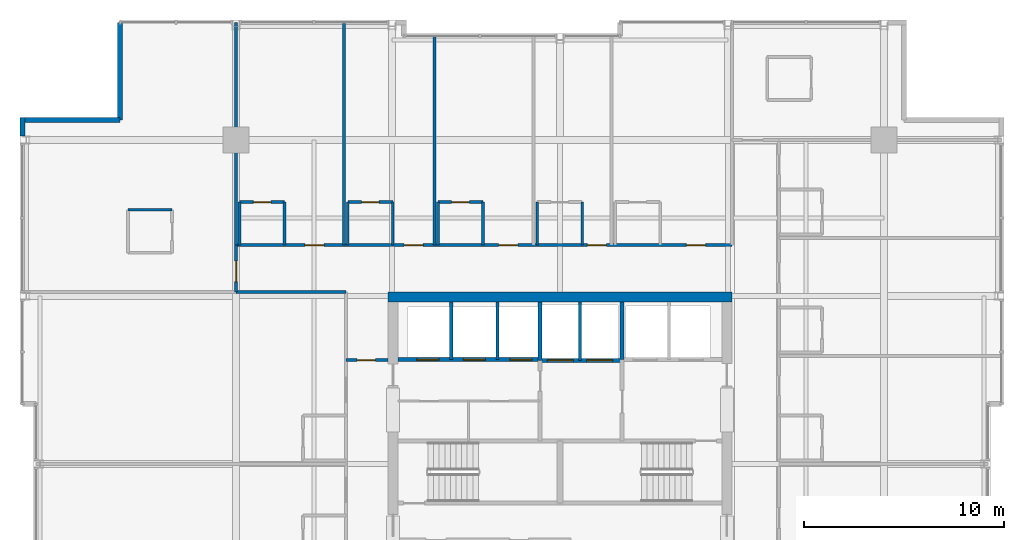
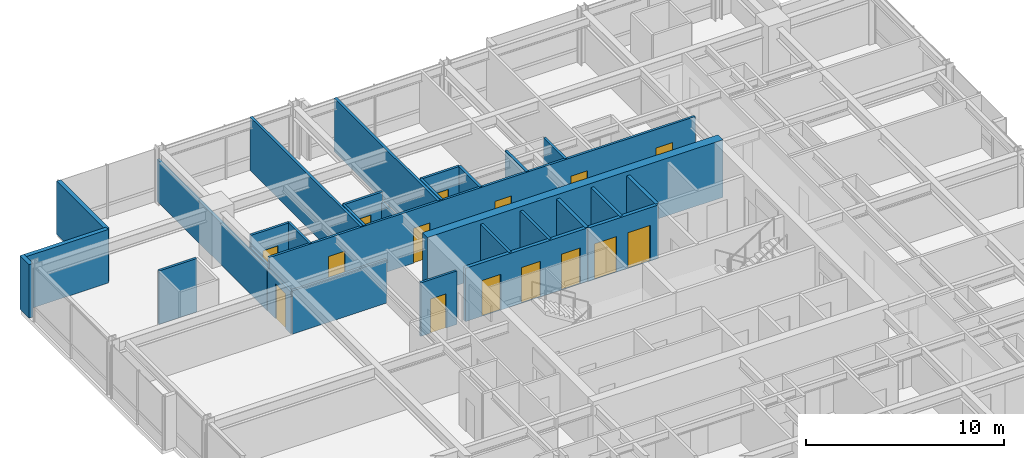
# One storey, part 29 of 32: 30 walls, 15 doors, 15 openings.
"""IFC4 building model written with IfcOpenShell, lengths in metres."""

import ifcopenshell
import ifcopenshell.guid

model = None  # the IFC model being written
_history = None  # IfcOwnerHistory: only IFC2X3 demands one
_inside = {}  # id of a spatial element -> (the spatial element, [elements in it])
_under = {}  # id of a project, library or spatial element -> (it, [spatial elements below it])
_declared = {}  # id of a project -> (the project, [libraries it declares])
_typed = {}  # id of a type object -> (the type object, [elements of that type])
_made_of = {}  # id of a material, layer set ... -> (it, [elements and type objects made of it])


def new_model(schema):
    """Start an empty IFC model of exactly this schema.

    Asked for "IFC4X3", IfcOpenShell would pick the latest addendum, in which some entities
    have other attributes; the version numbers below select the first issue.
    IFC2X3 requires an IfcOwnerHistory on every rooted entity: one is made here for all.
    """
    global model, _history
    if schema == "IFC4X3":
        model = ifcopenshell.file(schema_version=(4, 3, 0, 0))
    else:
        model = ifcopenshell.file(schema=schema)
    _inside.clear()
    _under.clear()
    _declared.clear()
    _typed.clear()
    _made_of.clear()
    _history = None
    if model.schema == "IFC2X3":
        org = make("IfcOrganization", Name="unknown")
        user = make(
            "IfcPersonAndOrganization",
            ThePerson=make("IfcPerson", FamilyName="unknown"),
            TheOrganization=org,
        )
        app = make(
            "IfcApplication",
            ApplicationDeveloper=org,
            Version="unknown",
            ApplicationFullName="unknown",
            ApplicationIdentifier="unknown",
        )
        _history = make(
            "IfcOwnerHistory",
            OwningUser=user,
            OwningApplication=app,
            ChangeAction="ADDED",
            CreationDate=0,
        )
    return model


def make(cls, **values):
    """One entity of the class cls with the attributes given. An attribute that is None is left unset."""
    return model.create_entity(
        cls, **{name: value for name, value in values.items() if value is not None}
    )


def rooted(cls, **values):
    """An entity with a GlobalId (a new one), such as an element, a storey or a relation."""
    return make(cls, GlobalId=ifcopenshell.guid.new(), OwnerHistory=_history, **values)


def si_unit(unit_type, name, prefix=None):
    """IfcSIUnit, for example si_unit("LENGTHUNIT", "METRE", prefix="MILLI")."""
    return make("IfcSIUnit", UnitType=unit_type, Prefix=prefix, Name=name)


def assignment(units):
    """IfcUnitAssignment: the units of a project."""
    return None if units is None else make("IfcUnitAssignment", Units=units)


def point(xyz):
    """IfcCartesianPoint."""
    return None if xyz is None else make("IfcCartesianPoint", Coordinates=xyz)


def direction(xyz):
    """IfcDirection."""
    return None if xyz is None else make("IfcDirection", DirectionRatios=xyz)


def frame(location, z_axis=None, x_axis=None):
    """IfcAxis2Placement3D, a coordinate frame: its origin and axes. An axis left out is left unset."""
    return make(
        "IfcAxis2Placement3D",
        Location=point(location),
        Axis=direction(z_axis),
        RefDirection=direction(x_axis),
    )


def frame_2d(location, x_axis=None):
    """IfcAxis2Placement2D, a coordinate frame in the plane: its origin and x axis."""
    return make(
        "IfcAxis2Placement2D", Location=point(location), RefDirection=direction(x_axis)
    )


def origin():
    """The frame at (0, 0, 0) with its axes left unset."""
    return frame((0.0, 0.0, 0.0))


def place(relative_to, where):
    """IfcLocalPlacement: puts the frame where relative to a parent placement (None: the world)."""
    return make(
        "IfcLocalPlacement", PlacementRelTo=relative_to, RelativePlacement=where
    )


def context(
    kind, dimensions, precision=None, world=None, true_north=None, identifier=None
):
    """IfcGeometricRepresentationContext, for example the 3D "Model" context."""
    return make(
        "IfcGeometricRepresentationContext",
        ContextIdentifier=identifier,
        ContextType=kind,
        CoordinateSpaceDimension=dimensions,
        Precision=precision,
        WorldCoordinateSystem=world,
        TrueNorth=true_north,
    )


def subcontext(parent, identifier, kind, view, scale=None):
    """IfcGeometricRepresentationSubContext, for example "Body" below "Model"."""
    return make(
        "IfcGeometricRepresentationSubContext",
        ContextIdentifier=identifier,
        ContextType=kind,
        ParentContext=parent,
        TargetScale=scale,
        TargetView=view,
    )


def project(units=None, contexts=None):
    """IfcProject with its units and contexts."""
    return rooted(
        "IfcProject",
        Name="project",
        RepresentationContexts=contexts,
        UnitsInContext=assignment(units),
    )


def spatial(cls, under=None, at=None, **own):
    """A site, building, storey or space (cls), placed at a placement, below another one or the project."""
    s = rooted(cls, ObjectPlacement=at, **own)
    if under is not None:
        _under.setdefault(under.id(), (under, []))[1].append(s)
    return s


def profile(cls, at=None, kind="AREA", **sizes):
    """A parametric profile (cls). Its sizes go by their IFC names, for example OverallWidth=200.0."""
    return make(cls, ProfileType=kind, Position=at, **sizes)


def rectangle(**sizes):
    """IfcRectangleProfileDef."""
    return profile("IfcRectangleProfileDef", **sizes)


def extrude(swept, where, along, depth):
    """IfcExtrudedAreaSolid: the profile swept, set in the frame where, extruded along a direction by depth."""
    return make(
        "IfcExtrudedAreaSolid",
        SweptArea=swept,
        Position=where,
        ExtrudedDirection=direction(along),
        Depth=depth,
    )


def shape(context_of_items, identifier, shape_type, items):
    """IfcShapeRepresentation: the items that make up one representation, for example the "Body"."""
    return make(
        "IfcShapeRepresentation",
        ContextOfItems=context_of_items,
        RepresentationIdentifier=identifier,
        RepresentationType=shape_type,
        Items=items,
    )


def material(Name=None, Category=None):
    """IfcMaterial."""
    return make("IfcMaterial", Name=Name, Category=Category)


def layer(
    of_material, thickness, ventilated=None, Name=None, Category=None, Priority=None
):
    """IfcMaterialLayer: one layer of a wall or slab, of a material (None: an air gap)."""
    return make(
        "IfcMaterialLayer",
        Material=of_material,
        LayerThickness=thickness,
        IsVentilated=ventilated,
        Name=Name,
        Category=Category,
        Priority=Priority,
    )


def layer_set(layers, Name=None):
    """IfcMaterialLayerSet."""
    return make("IfcMaterialLayerSet", MaterialLayers=layers, LayerSetName=Name)


def made_of(thing, what):
    """Note that an element or type object is made of a material, layer set ...; save() writes the relation."""
    if what is not None:
        _made_of.setdefault(what.id(), (what, []))[1].append(thing)
    return thing


def type_object(cls, material=None, **own):
    """A type object (cls), such as IfcWallType, which elements share."""
    return made_of(rooted(cls, **own), material)


def element(
    cls,
    number,
    at=None,
    inside=None,
    cuts=None,
    type_object=None,
    material=None,
    context=None,
    identifier="Body",
    shape_type=None,
    held_by="IfcProductDefinitionShape",
    body=None,
    shapes=None,
    **own,
):
    """One element of the class cls, such as IfcWall. Its Tag is "e" and its number.

    at: its placement. inside: the storey or other place that contains it. cuts: it is an
    opening in that element (IfcRelVoidsElement). A single representation is given by context,
    identifier, shape_type and body (its items); several are given by shapes. held_by: the class
    of the entity that holds the representations. save() writes the other relations.
    """
    e = rooted(cls, Tag="e%d" % number, ObjectPlacement=at, **own)
    if body is not None:
        shapes = [shape(context, identifier, shape_type, body)]
    if shapes is not None:
        e.Representation = make(held_by, Representations=shapes)
    if inside is not None:
        _inside.setdefault(inside.id(), (inside, []))[1].append(e)
    if cuts is not None:
        rooted(
            "IfcRelVoidsElement", RelatingBuildingElement=cuts, RelatedOpeningElement=e
        )
    if type_object is not None:
        _typed.setdefault(type_object.id(), (type_object, []))[1].append(e)
    return made_of(e, material)


def fill(opening, filler):
    """IfcRelFillsElement: the door or window that sits in an opening."""
    return rooted(
        "IfcRelFillsElement",
        RelatingOpeningElement=opening,
        RelatedBuildingElement=filler,
    )


def aggregate(whole, parts):
    """IfcRelAggregates: a whole, such as a stair, and the parts it consists of."""
    return rooted("IfcRelAggregates", RelatingObject=whole, RelatedObjects=parts)


def save(model, path):
    """Write the relations noted so far, then the file.

    IfcRelAggregates (storeys below a building ...), IfcRelContainedInSpatialStructure (elements
    in a storey), IfcRelDefinesByType, IfcRelAssociatesMaterial and IfcRelDeclares: one each for
    every whole, place, type object, material and project.
    """
    for whole, parts in _under.values():
        aggregate(whole, parts)
    for where, things in _inside.values():
        rooted(
            "IfcRelContainedInSpatialStructure",
            RelatedElements=things,
            RelatingStructure=where,
        )
    for kind, things in _typed.values():
        rooted("IfcRelDefinesByType", RelatedObjects=things, RelatingType=kind)
    for what, things in _made_of.values():
        rooted("IfcRelAssociatesMaterial", RelatedObjects=things, RelatingMaterial=what)
    for by, libraries in _declared.values():
        rooted("IfcRelDeclares", RelatingContext=by, RelatedDefinitions=libraries)
    model.write(path)


model = new_model("IFC4")

# Units and contexts
model_context = context("Model", 3, precision=1e-05, world=origin(), true_north=direction((0.0, 1.0)))
body_context = subcontext(model_context, "Body", "Model", "MODEL_VIEW")
ifc_project = project(units=[si_unit("LENGTHUNIT", "METRE"), si_unit("AREAUNIT", "SQUARE_METRE"), si_unit("VOLUMEUNIT", "CUBIC_METRE"), si_unit("PLANEANGLEUNIT", "RADIAN"), si_unit("MASSUNIT", "GRAM", prefix="KILO")], contexts=[model_context])

# Site, building, storey
site_placement = place(None, origin())
site = spatial("IfcSite", under=ifc_project, at=site_placement, CompositionType="ELEMENT")
building_placement = place(site_placement, origin())
building = spatial("IfcBuilding", under=site, at=building_placement, Name="Drelvath Grand Hotel", CompositionType="ELEMENT")
storey_placement = place(building_placement, frame((0.0, 0.0, 157.5)))
storey = spatial("IfcBuildingStorey", under=building, at=storey_placement, Name="L40", CompositionType="ELEMENT", Elevation=157.5)

# Wall
ifc_material_1 = material(Name="Concrete C40/50", Category="concrete")
ifc_layer_1 = layer(ifc_material_1, 0.199951171875)
ifc_layer_set_1 = layer_set([ifc_layer_1], Name="Concrete C40/50")
wall_type_1 = type_object("IfcWallType", Name="Core Hoistway Fire Wall 200", PredefinedType="SOLIDWALL", material=ifc_layer_set_1)
wall_1_placement = place(storey_placement, frame((3.10009765625, 32.219970703125, 0.0), z_axis=(0.0, 0.0, 1.0), x_axis=(0.0, 1.0, 0.0)))
element("IfcWall", 1, at=wall_1_placement, inside=storey, type_object=wall_type_1, Name="L40 FSAE Hoistway West Wall", PredefinedType="SOLIDWALL", context=body_context, shape_type="SweptSolid", body=[
    extrude(rectangle(XDim=2.880126953125, YDim=0.199951171875, at=frame_2d((1.43994140625, 0.0))), origin(), (0.0, 0.0, 1.0), 3.2900390625),
])

# Wall, openings, doors
wall_2_placement = place(storey_placement, frame((-1.0, 32.179931640625, 0.0), z_axis=(0.0, 0.0, 1.0), x_axis=(1.0, 0.0, 0.0)))
wall_2 = element("IfcWall", 2, at=wall_2_placement, inside=storey, type_object=wall_type_1, Name="L40 Service Lift Hoistway Wall", PredefinedType="SOLIDWALL", context=body_context, shape_type="SweptSolid", body=[
    extrude(rectangle(XDim=4.10009765625, YDim=0.199951171875, at=frame_2d((2.050048828125, 0.0))), origin(), (0.0, 0.0, 1.0), 3.2900390625),
])
opening_1_placement = place(wall_2_placement, frame((0.3701171875, 0.0, 0.0)))
opening_1 = element("IfcOpeningElement", 3, at=opening_1_placement, cuts=wall_2, Name="Opening LD-SV-2", PredefinedType="OPENING", context=body_context, shape_type="SweptSolid", body=[
    extrude(rectangle(XDim=1.300048828125, YDim=2.199951171875, at=frame_2d((0.64990234375, 1.10009765625))), frame((0.0, 0.10986328125, 0.0), z_axis=(0.0, -1.0, 0.0), x_axis=(1.0, 0.0, 0.0)), (0.0, 0.0, 1.0), 0.219970703125),
])
opening_2_placement = place(wall_2_placement, frame((2.330078125, 0.0, 0.0)))
opening_2 = element("IfcOpeningElement", 4, at=opening_2_placement, cuts=wall_2, Name="Opening LD-SV-1", PredefinedType="OPENING", context=body_context, shape_type="SweptSolid", body=[
    extrude(rectangle(XDim=1.300048828125, YDim=2.199951171875, at=frame_2d((0.64990234375, 1.10009765625))), frame((0.0, 0.10986328125, 0.0), z_axis=(0.0, -1.0, 0.0), x_axis=(1.0, 0.0, 0.0)), (0.0, 0.0, 1.0), 0.219970703125),
])
ifc_material_2 = material(Name="Stainless Steel S355", Category="steel")
door_type_1 = type_object("IfcDoorType", Name="Service Lift Sliding Landing Door 1300x2200", OperationType="NOTDEFINED", PredefinedType="DOOR", material=ifc_material_2)
door_1_placement = place(opening_1_placement, origin())
door_1 = element("IfcDoor", 5, at=door_1_placement, inside=storey, type_object=door_type_1, Name="L40 Lift SV-2 Landing Door", OperationType="SLIDING_TO_LEFT", OverallHeight=2.199951171875, OverallWidth=1.300048828125, PredefinedType="DOOR", context=body_context, shape_type="SweptSolid", body=[
    extrude(rectangle(XDim=1.300048828125, YDim=2.199951171875, at=frame_2d((0.64990234375, 1.10009765625))), frame((0.0, 0.02490234375, 0.0), z_axis=(0.0, -1.0, 0.0), x_axis=(1.0, 0.0, 0.0)), (0.0, 0.0, 1.0), 0.050048828125),
])
fill(opening_1, door_1)
door_2_placement = place(opening_2_placement, origin())
door_2 = element("IfcDoor", 6, at=door_2_placement, inside=storey, type_object=door_type_1, Name="L40 Lift SV-1 Landing Door", OperationType="SLIDING_TO_LEFT", OverallHeight=2.199951171875, OverallWidth=1.300048828125, PredefinedType="DOOR", context=body_context, shape_type="SweptSolid", body=[
    extrude(rectangle(XDim=1.300048828125, YDim=2.199951171875, at=frame_2d((0.64990234375, 1.10009765625))), frame((0.0, 0.02490234375, 0.0), z_axis=(0.0, -1.0, 0.0), x_axis=(1.0, 0.0, 0.0)), (0.0, 0.0, 1.0), 0.050048828125),
])
fill(opening_2, door_2)

# Wall
wall_3_placement = place(storey_placement, frame((-1.0, 32.179931640625, 0.0), z_axis=(0.0, 0.0, 1.0), x_axis=(0.0, 1.0, 0.0)))
element("IfcWall", 7, at=wall_3_placement, inside=storey, type_object=wall_type_1, Name="L40 Service Lift West Wall", PredefinedType="SOLIDWALL", context=body_context, shape_type="SweptSolid", body=[
    extrude(rectangle(XDim=2.920166015625, YDim=0.199951171875, at=frame_2d((1.4599609375, 0.0))), origin(), (0.0, 0.0, 1.0), 3.2900390625),
])

# Wall, openings, doors
wall_4_placement = place(storey_placement, frame((-8.10009765625, 32.219970703125, 0.0), z_axis=(0.0, 0.0, 1.0), x_axis=(1.0, 0.0, 0.0)))
wall_4 = element("IfcWall", 8, at=wall_4_placement, inside=storey, type_object=wall_type_1, Name="L40 Bank 3 Hoistway Wall", PredefinedType="SOLIDWALL", context=body_context, shape_type="SweptSolid", body=[
    extrude(rectangle(XDim=7.10009765625, YDim=0.199951171875, at=frame_2d((3.550048828125, 0.0))), origin(), (0.0, 0.0, 1.0), 3.2900390625),
])
opening_3_placement = place(wall_4_placement, frame((0.949951171875, 0.0, 0.0)))
opening_3 = element("IfcOpeningElement", 9, at=opening_3_placement, cuts=wall_4, Name="Opening LD-PE-7", PredefinedType="OPENING", context=body_context, shape_type="SweptSolid", body=[
    extrude(rectangle(XDim=1.10009765625, YDim=2.199951171875, at=frame_2d((0.550048828125, 1.10009765625))), frame((0.0, 0.10986328125, 0.0), z_axis=(0.0, -1.0, 0.0), x_axis=(1.0, 0.0, 0.0)), (0.0, 0.0, 1.0), 0.219970703125),
])
opening_4_placement = place(wall_4_placement, frame((3.27001953125, 0.0, 0.0)))
opening_4 = element("IfcOpeningElement", 10, at=opening_4_placement, cuts=wall_4, Name="Opening LD-PE-8", PredefinedType="OPENING", context=body_context, shape_type="SweptSolid", body=[
    extrude(rectangle(XDim=1.10009765625, YDim=2.199951171875, at=frame_2d((0.550048828125, 1.10009765625))), frame((0.0, 0.10986328125, 0.0), z_axis=(0.0, -1.0, 0.0), x_axis=(1.0, 0.0, 0.0)), (0.0, 0.0, 1.0), 0.219970703125),
])
opening_5_placement = place(wall_4_placement, frame((5.590087890625, 0.0, 0.0)))
opening_5 = element("IfcOpeningElement", 11, at=opening_5_placement, cuts=wall_4, Name="Opening LD-PE-9", PredefinedType="OPENING", context=body_context, shape_type="SweptSolid", body=[
    extrude(rectangle(XDim=1.10009765625, YDim=2.199951171875, at=frame_2d((0.550048828125, 1.10009765625))), frame((0.0, 0.10986328125, 0.0), z_axis=(0.0, -1.0, 0.0), x_axis=(1.0, 0.0, 0.0)), (0.0, 0.0, 1.0), 0.219970703125),
])
door_type_2 = type_object("IfcDoorType", Name="Passenger Lift Sliding Landing Door 1100x2200", OperationType="NOTDEFINED", PredefinedType="DOOR", material=ifc_material_2)
door_3_placement = place(opening_3_placement, origin())
door_3 = element("IfcDoor", 12, at=door_3_placement, inside=storey, type_object=door_type_2, Name="L40 Lift PE-7 Landing Door", OperationType="SLIDING_TO_LEFT", OverallHeight=2.199951171875, OverallWidth=1.10009765625, PredefinedType="DOOR", context=body_context, shape_type="SweptSolid", body=[
    extrude(rectangle(XDim=1.10009765625, YDim=2.199951171875, at=frame_2d((0.550048828125, 1.10009765625))), frame((0.0, 0.02490234375, 0.0), z_axis=(0.0, -1.0, 0.0), x_axis=(1.0, 0.0, 0.0)), (0.0, 0.0, 1.0), 0.050048828125),
])
fill(opening_3, door_3)
door_4_placement = place(opening_4_placement, origin())
door_4 = element("IfcDoor", 13, at=door_4_placement, inside=storey, type_object=door_type_2, Name="L40 Lift PE-8 Landing Door", OperationType="SLIDING_TO_LEFT", OverallHeight=2.199951171875, OverallWidth=1.10009765625, PredefinedType="DOOR", context=body_context, shape_type="SweptSolid", body=[
    extrude(rectangle(XDim=1.10009765625, YDim=2.199951171875, at=frame_2d((0.550048828125, 1.10009765625))), frame((0.0, 0.02490234375, 0.0), z_axis=(0.0, -1.0, 0.0), x_axis=(1.0, 0.0, 0.0)), (0.0, 0.0, 1.0), 0.050048828125),
])
fill(opening_4, door_4)
door_5_placement = place(opening_5_placement, origin())
door_5 = element("IfcDoor", 14, at=door_5_placement, inside=storey, type_object=door_type_2, Name="L40 Lift PE-9 Landing Door", OperationType="SLIDING_TO_LEFT", OverallHeight=2.199951171875, OverallWidth=1.10009765625, PredefinedType="DOOR", context=body_context, shape_type="SweptSolid", body=[
    extrude(rectangle(XDim=1.10009765625, YDim=2.199951171875, at=frame_2d((0.550048828125, 1.10009765625))), frame((0.0, 0.02490234375, 0.0), z_axis=(0.0, -1.0, 0.0), x_axis=(1.0, 0.0, 0.0)), (0.0, 0.0, 1.0), 0.050048828125),
])
fill(opening_5, door_5)

# Walls
ifc_material_3 = material(Name="Gypsum Fireboard Partition")
ifc_layer_2 = layer(ifc_material_3, 0.1650390625)
ifc_layer_set_2 = layer_set([ifc_layer_2], Name="Gypsum Fireboard Partition")
wall_type_2 = type_object("IfcWallType", Name="Core Shaft Partition 165", PredefinedType="PARTITIONING", material=ifc_layer_set_2)
wall_5_placement = place(storey_placement, frame((1.0, 32.179931640625, 0.0), z_axis=(0.0, 0.0, 1.0), x_axis=(0.0, 1.0, 0.0)))
element("IfcWall", 15, at=wall_5_placement, inside=storey, type_object=wall_type_2, Name="L40 Service Lift Divider", PredefinedType="PARTITIONING", context=body_context, shape_type="SweptSolid", body=[
    extrude(rectangle(XDim=2.920166015625, YDim=0.1650390625, at=frame_2d((1.4599609375, 0.0))), origin(), (0.0, 0.0, 1.0), 3.2900390625),
])
for number, where, z_axis, x_axis, name in (
    (16, (-5.43994140625, 32.219970703125, 0.0), (0.0, 0.0, 1.0), (0.0, 1.0, 0.0), "L40 Lift PE-7/8 Divider"),
    (17, (-3.1201171875, 32.219970703125, 0.0), (0.0, 0.0, 1.0), (0.0, 1.0, 0.0), "L40 Lift PE-8/9 Divider"),
):
    element("IfcWall", number, at=place(storey_placement, frame(where, z_axis=z_axis, x_axis=x_axis)), inside=storey, type_object=wall_type_2, Name=name, PredefinedType="PARTITIONING", context=body_context, shape_type="SweptSolid", body=[
        extrude(rectangle(XDim=2.880126953125, YDim=0.1650390625, at=frame_2d((1.43994140625, 0.0))), origin(), (0.0, 0.0, 1.0), 3.2900390625),
    ])

# Wall, opening, door
ifc_layer_3 = layer(ifc_material_3, 0.135009765625)
ifc_layer_set_3 = layer_set([ifc_layer_3], Name="Gypsum Fireboard Partition")
wall_type_3 = type_object("IfcWallType", Name="Corridor Fire Barrier Wall 135", PredefinedType="PARTITIONING", material=ifc_layer_set_3)
wall_6_placement = place(storey_placement, frame((-10.699951171875, 32.199951171875, 0.0), z_axis=(0.0, 0.0, 1.0), x_axis=(1.0, 0.0, 0.0)))
wall_6 = element("IfcWall", 18, at=wall_6_placement, inside=storey, type_object=wall_type_3, Name="L40 West Foyer North Wall", PredefinedType="PARTITIONING", context=body_context, shape_type="SweptSolid", body=[
    extrude(rectangle(XDim=2.099853515625, YDim=0.135009765625, at=frame_2d((1.0498046875, 0.0))), origin(), (0.0, 0.0, 1.0), 3.2900390625),
])
opening_6_placement = place(wall_6_placement, frame((0.550048828125, 0.0, 0.0)))
opening_6 = element("IfcOpeningElement", 19, at=opening_6_placement, cuts=wall_6, Name="Opening D-T3G1-025", PredefinedType="OPENING", context=body_context, shape_type="SweptSolid", body=[
    extrude(rectangle(XDim=0.919921875, YDim=2.10009765625, at=frame_2d((0.4599609375, 1.050048828125))), frame((0.0, 0.077392578125, 0.0), z_axis=(0.0, -1.0, 0.0), x_axis=(1.0, 0.0, 0.0)), (0.0, 0.0, 1.0), 0.155029296875),
])
ifc_material_4 = material(Name="Painted Steel S275", Category="steel")
door_type_3 = type_object("IfcDoorType", Name="Staff Utility Door 920x2100", OperationType="NOTDEFINED", PredefinedType="DOOR", material=ifc_material_4)
door_6_placement = place(opening_6_placement, origin())
door_6 = element("IfcDoor", 20, at=door_6_placement, inside=storey, type_object=door_type_3, Name="L40 West Pantry Door", OperationType="SINGLE_SWING_LEFT", OverallHeight=2.10009765625, OverallWidth=0.919921875, PredefinedType="DOOR", context=body_context, shape_type="SweptSolid", body=[
    extrude(rectangle(XDim=0.919921875, YDim=2.10009765625, at=frame_2d((0.4599609375, 1.050048828125))), frame((0.0, 0.02490234375, 0.0), z_axis=(0.0, -1.0, 0.0), x_axis=(1.0, 0.0, 0.0)), (0.0, 0.0, 1.0), 0.050048828125),
])
fill(opening_6, door_6)

# Wall
wall_7_placement = place(storey_placement, frame((-16.199951171875, 35.60009765625, 0.0), z_axis=(0.0, 0.0, 1.0), x_axis=(1.0, 0.0, 0.0)))
element("IfcWall", 21, at=wall_7_placement, inside=storey, type_object=wall_type_3, Name="L40 NW Stub South Wall", PredefinedType="PARTITIONING", context=body_context, shape_type="SweptSolid", body=[
    extrude(rectangle(XDim=5.5, YDim=0.135009765625, at=frame_2d((2.75, 0.0))), origin(), (0.0, 0.0, 1.0), 2.66748046875),
])

# Wall, openings, doors
wall_8_placement = place(storey_placement, frame((-16.199951171875, 37.949951171875, 0.0), z_axis=(0.0, 0.0, 1.0), x_axis=(1.0, 0.0, 0.0)))
wall_8 = element("IfcWall", 22, at=wall_8_placement, inside=storey, type_object=wall_type_3, Name="L40 North Stub Corridor Wall", PredefinedType="PARTITIONING", context=body_context, shape_type="SweptSolid", body=[
    extrude(rectangle(XDim=24.800048828125, YDim=0.135009765625, at=frame_2d((12.39990234375, 0.0))), origin(), (0.0, 0.0, 1.0), 3.2900390625),
])
opening_7_placement = place(wall_8_placement, frame((3.4404296875, 0.0, 0.0)))
opening_7 = element("IfcOpeningElement", 23, at=opening_7_placement, cuts=wall_8, Name="Opening D-T3G1-044", PredefinedType="OPENING", context=body_context, shape_type="SweptSolid", body=[
    extrude(rectangle(XDim=0.9599609375, YDim=2.14990234375, at=frame_2d((0.47998046875, 1.074951171875))), frame((0.0, 0.077392578125, 0.0), z_axis=(0.0, -1.0, 0.0), x_axis=(1.0, 0.0, 0.0)), (0.0, 0.0, 1.0), 0.155029296875),
])
opening_8_placement = place(wall_8_placement, frame((8.400390625, 0.0, 0.0)))
opening_8 = element("IfcOpeningElement", 24, at=opening_8_placement, cuts=wall_8, Name="Opening D-T3G1-046", PredefinedType="OPENING", context=body_context, shape_type="SweptSolid", body=[
    extrude(rectangle(XDim=0.9599609375, YDim=2.14990234375, at=frame_2d((0.47998046875, 1.074951171875))), frame((0.0, 0.077392578125, 0.0), z_axis=(0.0, -1.0, 0.0), x_axis=(1.0, 0.0, 0.0)), (0.0, 0.0, 1.0), 0.155029296875),
])
opening_9_placement = place(wall_8_placement, frame((13.135009765625, 0.0, 0.0)))
opening_9 = element("IfcOpeningElement", 25, at=opening_9_placement, cuts=wall_8, Name="Opening D-T3G1-048", PredefinedType="OPENING", context=body_context, shape_type="SweptSolid", body=[
    extrude(rectangle(XDim=0.9599609375, YDim=2.14990234375, at=frame_2d((0.47998046875, 1.074951171875))), frame((0.0, 0.077392578125, 0.0), z_axis=(0.0, -1.0, 0.0), x_axis=(1.0, 0.0, 0.0)), (0.0, 0.0, 1.0), 0.155029296875),
])
opening_10_placement = place(wall_8_placement, frame((17.56494140625, 0.0, 0.0)))
opening_10 = element("IfcOpeningElement", 26, at=opening_10_placement, cuts=wall_8, Name="Opening D-T3G1-050", PredefinedType="OPENING", context=body_context, shape_type="SweptSolid", body=[
    extrude(rectangle(XDim=0.9599609375, YDim=2.14990234375, at=frame_2d((0.47998046875, 1.074951171875))), frame((0.0, 0.077392578125, 0.0), z_axis=(0.0, -1.0, 0.0), x_axis=(1.0, 0.0, 0.0)), (0.0, 0.0, 1.0), 0.155029296875),
])
opening_11_placement = place(wall_8_placement, frame((22.52490234375, 0.0, 0.0)))
opening_11 = element("IfcOpeningElement", 27, at=opening_11_placement, cuts=wall_8, Name="Opening D-T3G1-052", PredefinedType="OPENING", context=body_context, shape_type="SweptSolid", body=[
    extrude(rectangle(XDim=0.9599609375, YDim=2.14990234375, at=frame_2d((0.47998046875, 1.074951171875))), frame((0.0, 0.077392578125, 0.0), z_axis=(0.0, -1.0, 0.0), x_axis=(1.0, 0.0, 0.0)), (0.0, 0.0, 1.0), 0.155029296875),
])
ifc_material_5 = material(Name="Hardwood Walnut Timber", Category="wood")
door_type_4 = type_object("IfcDoorType", Name="Guestroom Entrance Fire Door 960x2150", OperationType="NOTDEFINED", PredefinedType="DOOR", material=ifc_material_5)
door_7_placement = place(opening_7_placement, origin())
door_7 = element("IfcDoor", 28, at=door_7_placement, inside=storey, type_object=door_type_4, Name="L40 King Guest Room Entry Door", OperationType="SINGLE_SWING_RIGHT", OverallHeight=2.14990234375, OverallWidth=0.9599609375, PredefinedType="DOOR", context=body_context, shape_type="SweptSolid", body=[
    extrude(rectangle(XDim=0.9599609375, YDim=2.14990234375, at=frame_2d((0.47998046875, 1.074951171875))), frame((0.0, 0.02490234375, 0.0), z_axis=(0.0, -1.0, 0.0), x_axis=(1.0, 0.0, 0.0)), (0.0, 0.0, 1.0), 0.050048828125),
])
fill(opening_7, door_7)
door_8_placement = place(opening_8_placement, origin())
door_8 = element("IfcDoor", 29, at=door_8_placement, inside=storey, type_object=door_type_4, Name="L40 King Guest Room Entry Door", OperationType="SINGLE_SWING_RIGHT", OverallHeight=2.14990234375, OverallWidth=0.9599609375, PredefinedType="DOOR", context=body_context, shape_type="SweptSolid", body=[
    extrude(rectangle(XDim=0.9599609375, YDim=2.14990234375, at=frame_2d((0.47998046875, 1.074951171875))), frame((0.0, 0.02490234375, 0.0), z_axis=(0.0, -1.0, 0.0), x_axis=(1.0, 0.0, 0.0)), (0.0, 0.0, 1.0), 0.050048828125),
])
fill(opening_8, door_8)
door_9_placement = place(opening_9_placement, origin())
door_9 = element("IfcDoor", 30, at=door_9_placement, inside=storey, type_object=door_type_4, Name="L40 King Guest Room Entry Door", OperationType="SINGLE_SWING_RIGHT", OverallHeight=2.14990234375, OverallWidth=0.9599609375, PredefinedType="DOOR", context=body_context, shape_type="SweptSolid", body=[
    extrude(rectangle(XDim=0.9599609375, YDim=2.14990234375, at=frame_2d((0.47998046875, 1.074951171875))), frame((0.0, 0.02490234375, 0.0), z_axis=(0.0, -1.0, 0.0), x_axis=(1.0, 0.0, 0.0)), (0.0, 0.0, 1.0), 0.050048828125),
])
fill(opening_9, door_9)
door_10_placement = place(opening_10_placement, origin())
door_10 = element("IfcDoor", 31, at=door_10_placement, inside=storey, type_object=door_type_4, Name="L40 King Guest Room Entry Door", OperationType="SINGLE_SWING_RIGHT", OverallHeight=2.14990234375, OverallWidth=0.9599609375, PredefinedType="DOOR", context=body_context, shape_type="SweptSolid", body=[
    extrude(rectangle(XDim=0.9599609375, YDim=2.14990234375, at=frame_2d((0.47998046875, 1.074951171875))), frame((0.0, 0.02490234375, 0.0), z_axis=(0.0, -1.0, 0.0), x_axis=(1.0, 0.0, 0.0)), (0.0, 0.0, 1.0), 0.050048828125),
])
fill(opening_10, door_10)
door_11_placement = place(opening_11_placement, origin())
door_11 = element("IfcDoor", 32, at=door_11_placement, inside=storey, type_object=door_type_4, Name="L40 King Guest Room Entry Door", OperationType="SINGLE_SWING_RIGHT", OverallHeight=2.14990234375, OverallWidth=0.9599609375, PredefinedType="DOOR", context=body_context, shape_type="SweptSolid", body=[
    extrude(rectangle(XDim=0.9599609375, YDim=2.14990234375, at=frame_2d((0.47998046875, 1.074951171875))), frame((0.0, 0.02490234375, 0.0), z_axis=(0.0, -1.0, 0.0), x_axis=(1.0, 0.0, 0.0)), (0.0, 0.0, 1.0), 0.050048828125),
])
fill(opening_11, door_11)

# Wall, opening, door
wall_9_placement = place(storey_placement, frame((-16.199951171875, 35.60009765625, 0.0), z_axis=(0.0, 0.0, 1.0), x_axis=(0.0, 1.0, 0.0)))
wall_9 = element("IfcWall", 33, at=wall_9_placement, inside=storey, type_object=wall_type_3, Name="L40 North Stub West End", PredefinedType="PARTITIONING", context=body_context, shape_type="SweptSolid", body=[
    extrude(rectangle(XDim=2.349853515625, YDim=0.135009765625, at=frame_2d((1.1748046875, 0.0))), origin(), (0.0, 0.0, 1.0), 2.57958984375),
])
opening_12_placement = place(wall_9_placement, frame((0.52001953125, 0.0, 0.0)))
opening_12 = element("IfcOpeningElement", 34, at=opening_12_placement, cuts=wall_9, Name="Opening D-T3G1-029", PredefinedType="OPENING", context=body_context, shape_type="SweptSolid", body=[
    extrude(rectangle(XDim=1.02001953125, YDim=2.14990234375, at=frame_2d((0.510009765625, 1.074951171875))), frame((0.0, 0.077392578125, 0.0), z_axis=(0.0, -1.0, 0.0), x_axis=(1.0, 0.0, 0.0)), (0.0, 0.0, 1.0), 0.155029296875),
])
door_type_5 = type_object("IfcDoorType", Name="Amenity Meeting Fire Door 1020x2150", OperationType="NOTDEFINED", PredefinedType="DOOR", material=ifc_material_5)
door_12_placement = place(opening_12_placement, origin())
door_12 = element("IfcDoor", 35, at=door_12_placement, inside=storey, type_object=door_type_5, Name="L40 Executive Suite Entry Door", OperationType="SINGLE_SWING_LEFT", OverallHeight=2.14990234375, OverallWidth=1.02001953125, PredefinedType="DOOR", context=body_context, shape_type="SweptSolid", body=[
    extrude(rectangle(XDim=1.02001953125, YDim=2.14990234375, at=frame_2d((0.510009765625, 1.074951171875))), frame((0.0, 0.02490234375, 0.0), z_axis=(0.0, -1.0, 0.0), x_axis=(1.0, 0.0, 0.0)), (0.0, 0.0, 1.0), 0.050048828125),
])
fill(opening_12, door_12)

# Walls
ifc_material_6 = material(Name="Moisture-Resistant Gypsum Board")
ifc_layer_4 = layer(ifc_material_6, 0.139892578125)
ifc_layer_set_4 = layer_set([ifc_layer_4], Name="Moisture-Resistant Gypsum Board")
wall_type_4 = type_object("IfcWallType", Name="En-Suite Plumbing Wall 140", PredefinedType="PLUMBINGWALL", material=ifc_layer_set_4)
wall_10_placement = place(storey_placement, frame((-21.60009765625, 39.7099609375, 0.0), z_axis=(0.0, 0.0, 1.0), x_axis=(1.0, 0.0, 0.0)))
element("IfcWall", 36, at=wall_10_placement, inside=storey, type_object=wall_type_4, Name="L40 Corner En-Suite North", PredefinedType="PLUMBINGWALL", context=body_context, shape_type="SweptSolid", body=[
    extrude(rectangle(XDim=2.2001953125, YDim=0.139892578125, at=frame_2d((1.10009765625, 0.0))), origin(), (0.0, 0.0, 1.0), 3.2900390625),
])
wall_11_placement = place(storey_placement, frame((-16.02001953125, 37.949951171875, 0.0), z_axis=(0.0, 0.0, 1.0), x_axis=(0.0, 1.0, 0.0)))
element("IfcWall", 37, at=wall_11_placement, inside=storey, type_object=wall_type_4, Name="L40 En-Suite Left Wall", PredefinedType="PLUMBINGWALL", context=body_context, shape_type="SweptSolid", body=[
    extrude(rectangle(XDim=2.150146484375, YDim=0.139892578125, at=frame_2d((1.0751953125, 0.0))), origin(), (0.0, 0.0, 1.0), 2.57958984375),
])
wall_12_placement = place(storey_placement, frame((-13.77001953125, 37.949951171875, 0.0), z_axis=(0.0, 0.0, 1.0), x_axis=(0.0, 1.0, 0.0)))
element("IfcWall", 38, at=wall_12_placement, inside=storey, type_object=wall_type_4, Name="L40 En-Suite Right Wall", PredefinedType="PLUMBINGWALL", context=body_context, shape_type="SweptSolid", body=[
    extrude(rectangle(XDim=2.150146484375, YDim=0.139892578125, at=frame_2d((1.0751953125, 0.0))), origin(), (0.0, 0.0, 1.0), 3.2900390625),
])

# Wall, opening, door
wall_13_placement = place(storey_placement, frame((-16.02001953125, 40.10009765625, 0.0), z_axis=(0.0, 0.0, 1.0), x_axis=(1.0, 0.0, 0.0)))
wall_13 = element("IfcWall", 39, at=wall_13_placement, inside=storey, type_object=wall_type_4, Name="L40 En-Suite Front Wall", PredefinedType="PLUMBINGWALL", context=body_context, shape_type="SweptSolid", body=[
    extrude(rectangle(XDim=2.25, YDim=0.139892578125, at=frame_2d((1.125, 0.0))), origin(), (0.0, 0.0, 1.0), 3.2900390625),
])
opening_13_placement = place(wall_13_placement, frame((0.68505859375, 0.0, 0.0)))
opening_13 = element("IfcOpeningElement", 40, at=opening_13_placement, cuts=wall_13, Name="Opening D-T3G1-043", PredefinedType="OPENING", context=body_context, shape_type="SweptSolid", body=[
    extrude(rectangle(XDim=0.8798828125, YDim=2.10009765625, at=frame_2d((0.43994140625, 1.050048828125))), frame((0.0, 0.079833984375, 0.0), z_axis=(0.0, -1.0, 0.0), x_axis=(1.0, 0.0, 0.0)), (0.0, 0.0, 1.0), 0.159912109375),
])
door_type_6 = type_object("IfcDoorType", Name="En-Suite Bathroom Door 880x2100", OperationType="NOTDEFINED", PredefinedType="DOOR", material=ifc_material_5)
door_13_placement = place(opening_13_placement, origin())
door_13 = element("IfcDoor", 41, at=door_13_placement, inside=storey, type_object=door_type_6, Name="L40 En-Suite Bathroom Door", OperationType="SINGLE_SWING_LEFT", OverallHeight=2.10009765625, OverallWidth=0.8798828125, PredefinedType="DOOR", context=body_context, shape_type="SweptSolid", body=[
    extrude(rectangle(XDim=0.8798828125, YDim=2.10009765625, at=frame_2d((0.43994140625, 1.050048828125))), frame((0.0, 0.02490234375, 0.0), z_axis=(0.0, -1.0, 0.0), x_axis=(1.0, 0.0, 0.0)), (0.0, 0.0, 1.0), 0.050048828125),
])
fill(opening_13, door_13)

# Walls
wall_14_placement = place(storey_placement, frame((-10.609130859375, 37.949951171875, 0.0), z_axis=(0.0, 0.0, 1.0), x_axis=(0.0, 1.0, 0.0)))
element("IfcWall", 42, at=wall_14_placement, inside=storey, type_object=wall_type_4, Name="L40 En-Suite Left Wall", PredefinedType="PLUMBINGWALL", context=body_context, shape_type="SweptSolid", body=[
    extrude(rectangle(XDim=2.150146484375, YDim=0.139892578125, at=frame_2d((1.0751953125, 0.0))), origin(), (0.0, 0.0, 1.0), 3.2900390625),
])
wall_15_placement = place(storey_placement, frame((-8.359130859375, 37.949951171875, 0.0), z_axis=(0.0, 0.0, 1.0), x_axis=(0.0, 1.0, 0.0)))
element("IfcWall", 43, at=wall_15_placement, inside=storey, type_object=wall_type_4, Name="L40 En-Suite Right Wall", PredefinedType="PLUMBINGWALL", context=body_context, shape_type="SweptSolid", body=[
    extrude(rectangle(XDim=2.150146484375, YDim=0.139892578125, at=frame_2d((1.0751953125, 0.0))), origin(), (0.0, 0.0, 1.0), 2.66748046875),
])

# Wall, opening, door
wall_16_placement = place(storey_placement, frame((-10.609130859375, 40.10009765625, 0.0), z_axis=(0.0, 0.0, 1.0), x_axis=(1.0, 0.0, 0.0)))
wall_16 = element("IfcWall", 44, at=wall_16_placement, inside=storey, type_object=wall_type_4, Name="L40 En-Suite Front Wall", PredefinedType="PLUMBINGWALL", context=body_context, shape_type="SweptSolid", body=[
    extrude(rectangle(XDim=2.25, YDim=0.139892578125, at=frame_2d((1.125, 0.0))), origin(), (0.0, 0.0, 1.0), 3.2900390625),
])
opening_14_placement = place(wall_16_placement, frame((0.68505859375, 0.0, 0.0)))
opening_14 = element("IfcOpeningElement", 45, at=opening_14_placement, cuts=wall_16, Name="Opening D-T3G1-045", PredefinedType="OPENING", context=body_context, shape_type="SweptSolid", body=[
    extrude(rectangle(XDim=0.8798828125, YDim=2.10009765625, at=frame_2d((0.43994140625, 1.050048828125))), frame((0.0, 0.079833984375, 0.0), z_axis=(0.0, -1.0, 0.0), x_axis=(1.0, 0.0, 0.0)), (0.0, 0.0, 1.0), 0.159912109375),
])
door_14_placement = place(opening_14_placement, origin())
door_14 = element("IfcDoor", 46, at=door_14_placement, inside=storey, type_object=door_type_6, Name="L40 En-Suite Bathroom Door", OperationType="SINGLE_SWING_LEFT", OverallHeight=2.10009765625, OverallWidth=0.8798828125, PredefinedType="DOOR", context=body_context, shape_type="SweptSolid", body=[
    extrude(rectangle(XDim=0.8798828125, YDim=2.10009765625, at=frame_2d((0.43994140625, 1.050048828125))), frame((0.0, 0.02490234375, 0.0), z_axis=(0.0, -1.0, 0.0), x_axis=(1.0, 0.0, 0.0)), (0.0, 0.0, 1.0), 0.050048828125),
])
fill(opening_14, door_14)

# Walls
for number, where, z_axis, x_axis, name in (
    (47, (-6.10009765625, 37.949951171875, 0.0), (0.0, 0.0, 1.0), (0.0, 1.0, 0.0), "L40 En-Suite Left Wall"),
    (48, (-3.85009765625, 37.949951171875, 0.0), (0.0, 0.0, 1.0), (0.0, 1.0, 0.0), "L40 En-Suite Right Wall"),
):
    element("IfcWall", number, at=place(storey_placement, frame(where, z_axis=z_axis, x_axis=x_axis)), inside=storey, type_object=wall_type_4, Name=name, PredefinedType="PLUMBINGWALL", context=body_context, shape_type="SweptSolid", body=[
        extrude(rectangle(XDim=2.150146484375, YDim=0.139892578125, at=frame_2d((1.0751953125, 0.0))), origin(), (0.0, 0.0, 1.0), 3.2900390625),
    ])

# Wall, opening, door
wall_17_placement = place(storey_placement, frame((-6.10009765625, 40.10009765625, 0.0), z_axis=(0.0, 0.0, 1.0), x_axis=(1.0, 0.0, 0.0)))
wall_17 = element("IfcWall", 49, at=wall_17_placement, inside=storey, type_object=wall_type_4, Name="L40 En-Suite Front Wall", PredefinedType="PLUMBINGWALL", context=body_context, shape_type="SweptSolid", body=[
    extrude(rectangle(XDim=2.25, YDim=0.139892578125, at=frame_2d((1.125, 0.0))), origin(), (0.0, 0.0, 1.0), 3.2900390625),
])
opening_15_placement = place(wall_17_placement, frame((0.68505859375, 0.0, 0.0)))
opening_15 = element("IfcOpeningElement", 50, at=opening_15_placement, cuts=wall_17, Name="Opening D-T3G1-047", PredefinedType="OPENING", context=body_context, shape_type="SweptSolid", body=[
    extrude(rectangle(XDim=0.8798828125, YDim=2.10009765625, at=frame_2d((0.43994140625, 1.050048828125))), frame((0.0, 0.079833984375, 0.0), z_axis=(0.0, -1.0, 0.0), x_axis=(1.0, 0.0, 0.0)), (0.0, 0.0, 1.0), 0.159912109375),
])
door_15_placement = place(opening_15_placement, origin())
door_15 = element("IfcDoor", 51, at=door_15_placement, inside=storey, type_object=door_type_6, Name="L40 En-Suite Bathroom Door", OperationType="SINGLE_SWING_LEFT", OverallHeight=2.10009765625, OverallWidth=0.8798828125, PredefinedType="DOOR", context=body_context, shape_type="SweptSolid", body=[
    extrude(rectangle(XDim=0.8798828125, YDim=2.10009765625, at=frame_2d((0.43994140625, 1.050048828125))), frame((0.0, 0.02490234375, 0.0), z_axis=(0.0, -1.0, 0.0), x_axis=(1.0, 0.0, 0.0)), (0.0, 0.0, 1.0), 0.050048828125),
])
fill(opening_15, door_15)

# Walls
for number, where, z_axis, x_axis, name in (
    (52, (-1.139892578125, 37.949951171875, 0.0), (0.0, 0.0, 1.0), (0.0, 1.0, 0.0), "L40 En-Suite Left Wall"),
    (53, (1.110107421875, 37.949951171875, 0.0), (0.0, 0.0, 1.0), (0.0, 1.0, 0.0), "L40 En-Suite Right Wall"),
):
    element("IfcWall", number, at=place(storey_placement, frame(where, z_axis=z_axis, x_axis=x_axis)), inside=storey, type_object=wall_type_4, Name=name, PredefinedType="PLUMBINGWALL", context=body_context, shape_type="SweptSolid", body=[
        extrude(rectangle(XDim=2.150146484375, YDim=0.139892578125, at=frame_2d((1.0751953125, 0.0))), origin(), (0.0, 0.0, 1.0), 3.2900390625),
    ])
ifc_material_7 = material(Name="Gypsum Acoustic Partition")
ifc_layer_5 = layer(ifc_material_7, 0.14990234375)
ifc_layer_set_5 = layer_set([ifc_layer_5], Name="Gypsum Acoustic Partition")
wall_type_5 = type_object("IfcWallType", Name="Guestroom Demising Wall 150", PredefinedType="PARTITIONING", material=ifc_layer_set_5)
wall_18_placement = place(storey_placement, frame((-10.7890625, 37.949951171875, 0.0), z_axis=(0.0, 0.0, 1.0), x_axis=(0.0, 1.0, 0.0)))
element("IfcWall", 54, at=wall_18_placement, inside=storey, type_object=wall_type_5, Name="L40 North Demising 1", PredefinedType="PARTITIONING", context=body_context, shape_type="SweptSolid", body=[
    extrude(rectangle(XDim=11.130126953125, YDim=0.14990234375, at=frame_2d((5.56494140625, 0.0))), origin(), (0.0, 0.0, 1.0), 3.2900390625),
])
wall_19_placement = place(storey_placement, frame((-6.280029296875, 37.949951171875, 0.0), z_axis=(0.0, 0.0, 1.0), x_axis=(0.0, 1.0, 0.0)))
element("IfcWall", 55, at=wall_19_placement, inside=storey, type_object=wall_type_5, Name="L40 North Demising 2", PredefinedType="PARTITIONING", context=body_context, shape_type="SweptSolid", body=[
    extrude(rectangle(XDim=10.449951171875, YDim=0.14990234375, at=frame_2d((5.22509765625, 0.0))), origin(), (0.0, 0.0, 1.0), 3.2900390625),
])
ifc_layer_6 = layer(ifc_material_7, 0.1650390625)
ifc_layer_set_6 = layer_set([ifc_layer_6], Name="Gypsum Acoustic Partition")
wall_type_6 = type_object("IfcWallType", Name="Suite Demising Wall 165", PredefinedType="PARTITIONING", material=ifc_layer_set_6)
wall_20_placement = place(storey_placement, frame((-16.199951171875, 37.949951171875, 0.0), z_axis=(0.0, 0.0, 1.0), x_axis=(0.0, 1.0, 0.0)))
element("IfcWall", 56, at=wall_20_placement, inside=storey, type_object=wall_type_6, Name="L40 NW Suite East Wall", PredefinedType="PARTITIONING", context=body_context, shape_type="SweptSolid", body=[
    extrude(rectangle(XDim=11.130126953125, YDim=0.1650390625, at=frame_2d((5.56494140625, 0.0))), origin(), (0.0, 0.0, 1.0), 2.57958984375),
])
ifc_material_8 = material(Name="Pale-Metal Insulated Aluminium Spandrel Assembly", Category="aluminium")
ifc_layer_7 = layer(ifc_material_8, 0.239990234375)
ifc_layer_set_7 = layer_set([ifc_layer_7], Name="Pale-Metal Insulated Aluminium Spandrel Assembly")
wall_type_7 = type_object("IfcWallType", Name="Tower Insulated Metal Spandrel Closure Wall 240", PredefinedType="STANDARD", material=ifc_layer_set_7)
wall_21_placement = place(storey_placement, frame((-26.8798828125, 43.400146484375, 0.0), z_axis=(0.0, 0.0, 1.0), x_axis=(0.0, 1.0, 0.0)))
element("IfcWall", 57, at=wall_21_placement, inside=storey, type_object=wall_type_7, Name="L40 Corner Pier Spandrel Wall WN3", PredefinedType="STANDARD", context=body_context, shape_type="SweptSolid", body=[
    extrude(rectangle(XDim=0.919921875, YDim=0.239990234375, at=frame_2d((0.4599609375, 0.0))), origin(), (0.0, 0.0, 1.0), 3.2900390625),
])
wall_22_placement = place(storey_placement, frame((-26.760009765625, 44.199951171875, 0.0), z_axis=(0.0, 0.0, 1.0), x_axis=(1.0, 0.0, 0.0)))
element("IfcWall", 58, at=wall_22_placement, inside=storey, type_object=wall_type_7, Name="L40 Notched Corner Return Spandrel Wall CNW1", PredefinedType="STANDARD", context=body_context, shape_type="SweptSolid", body=[
    extrude(rectangle(XDim=4.760009765625, YDim=0.239990234375, at=frame_2d((2.3798828125, 0.0))), origin(), (0.0, 0.0, 1.0), 3.2900390625),
])
wall_23_placement = place(storey_placement, frame((-22.0, 44.199951171875, 0.0), z_axis=(0.0, 0.0, 1.0), x_axis=(0.0, 1.0, 0.0)))
element("IfcWall", 59, at=wall_23_placement, inside=storey, type_object=wall_type_7, Name="L40 Notched Corner Return Spandrel Wall CNW2", PredefinedType="STANDARD", context=body_context, shape_type="SweptSolid", body=[
    extrude(rectangle(XDim=4.880126953125, YDim=0.239990234375, at=frame_2d((2.43994140625, 0.0))), origin(), (0.0, 0.0, 1.0), 3.2900390625),
])
ifc_material_9 = material(Name="Concrete f'c 55 MPa", Category="concrete")
ifc_layer_8 = layer(ifc_material_9, 0.5)
ifc_layer_set_8 = layer_set([ifc_layer_8], Name="Concrete f'c 55 MPa")
wall_type_8 = type_object("IfcWallType", Name="Upper Core RC Shear Wall 500", PredefinedType="SHEAR", material=ifc_layer_set_8)
wall_24_placement = place(storey_placement, frame((-8.60009765625, 35.35009765625, 0.0), z_axis=(0.0, 0.0, 1.0), x_axis=(1.0, 0.0, 0.0)))
element("IfcWall", 60, at=wall_24_placement, inside=storey, type_object=wall_type_8, Name="L40 Central Core Shear Wall N", PredefinedType="SHEAR", context=body_context, shape_type="SweptSolid", body=[
    extrude(rectangle(XDim=17.2001953125, YDim=0.5, at=frame_2d((8.60009765625, 0.0))), origin(), (0.0, 0.0, 1.0), 3.550048828125),
])

save(model, "model.ifc")
